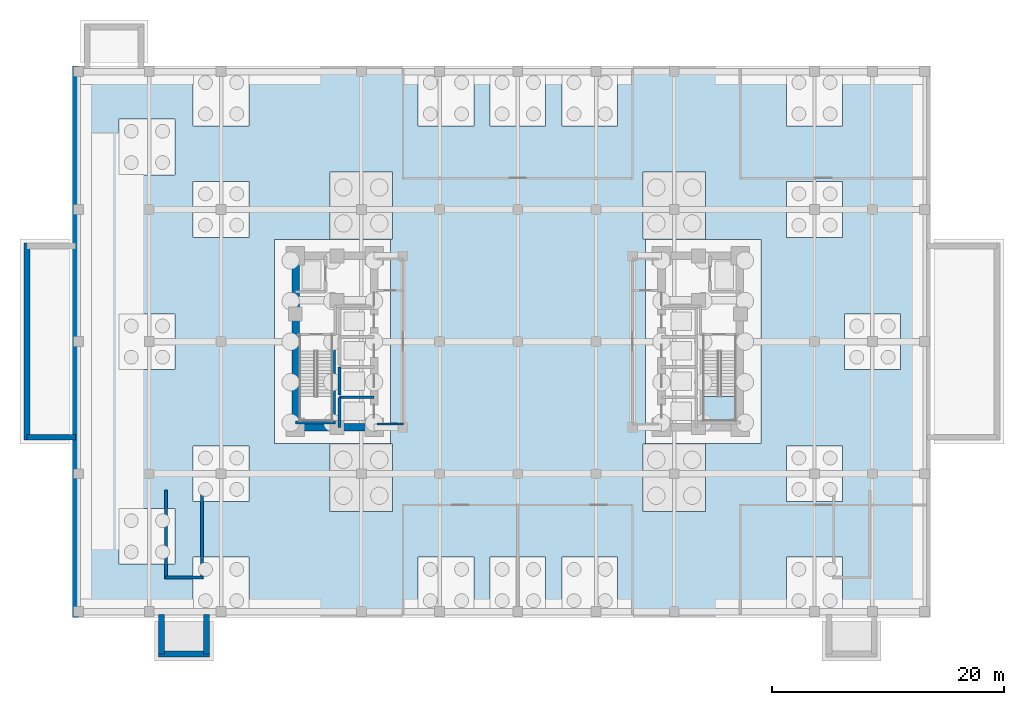
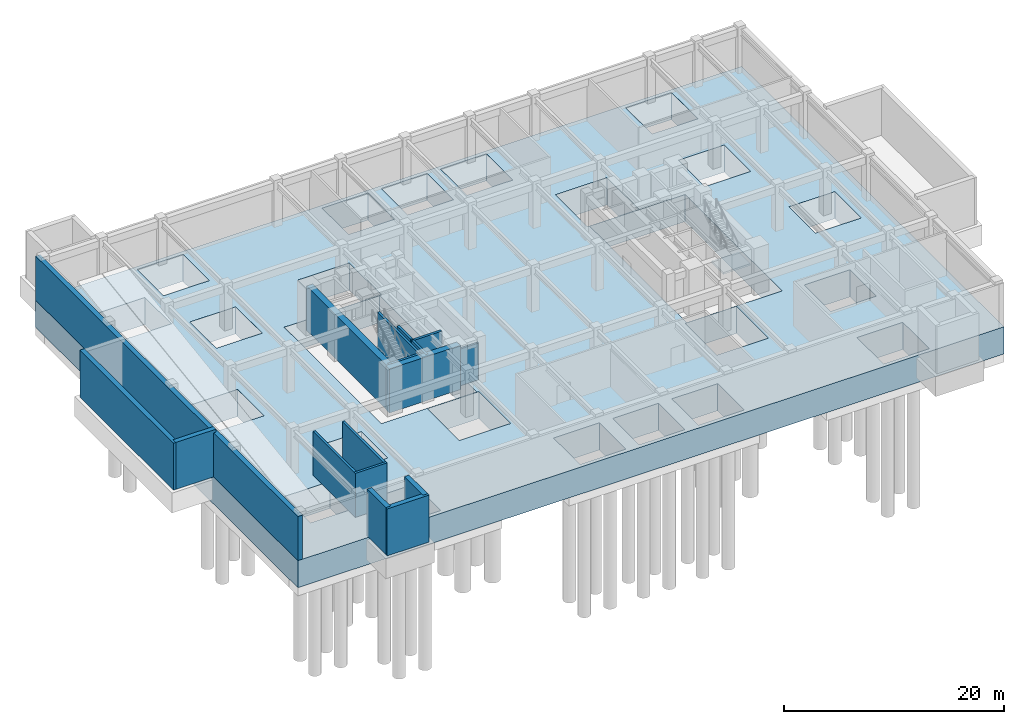
# One storey, part 4 of 11: 17 walls, 2 slabs, 1 element without a shape of its own.
"""IFC4 building model written with IfcOpenShell, lengths in metres."""

from ifc_helpers import new_model, si_unit, direction, frame, frame_2d, origin, place, context, subcontext, project, spatial, polyline, rectangle, outline, extrude, material, layer, layer_set, type_object, element, aggregate, save


model = new_model("IFC4")

# Units and contexts
model_context = context("Model", 3, precision=1e-05, world=origin(), true_north=direction((0.0, 1.0)))
body_context = subcontext(model_context, "Body", "Model", "MODEL_VIEW")
ifc_project = project(units=[si_unit("LENGTHUNIT", "METRE"), si_unit("AREAUNIT", "SQUARE_METRE"), si_unit("VOLUMEUNIT", "CUBIC_METRE"), si_unit("PLANEANGLEUNIT", "RADIAN"), si_unit("MASSUNIT", "GRAM", prefix="KILO")], contexts=[model_context])

# Site, building, storey
site_placement = place(None, origin())
site = spatial("IfcSite", under=ifc_project, at=site_placement, CompositionType="ELEMENT")
building_placement = place(site_placement, origin())
building = spatial("IfcBuilding", under=site, at=building_placement, Name="Voryun Gate Residences", CompositionType="ELEMENT")
storey_placement = place(building_placement, frame((0.0, 0.0, -10.39990234375)))
storey = spatial("IfcBuildingStorey", under=building, at=storey_placement, Name="B02", CompositionType="ELEMENT", Elevation=-10.39990234375)

# Slab
ifc_material_1 = material(Name="Concrete C50/60", Category="concrete")
ifc_layer_1 = layer(ifc_material_1, 3.0, Name="SLB_MAT_3000")
ifc_layer_set_1 = layer_set([ifc_layer_1], Name="Concrete C50/60")
slab_type_1 = type_object("IfcSlabType", Name="SLB_MAT_3000", PredefinedType="BASESLAB", material=ifc_layer_set_1)
slab_1_placement = place(storey_placement, frame((0.0, 0.0, -3.0)))
element("IfcSlab", 1, at=slab_1_placement, inside=storey, type_object=slab_type_1, Name="B02 Tanked Piled-Raft Base Mat", PredefinedType="BASESLAB", context=body_context, shape_type="SweptSolid", body=[
    extrude(outline(polyline([(-38.39990234375, 23.800048828125), (35.60009765625, 23.800048828125), (35.60009765625, -23.800048828125), (-38.39990234375, -23.800048828125), (-38.39990234375, 23.800048828125)]), holes=[polyline([(-23.197021484375, -23.403076171875), (-23.197021484375, -18.596923828125), (-28.0029296875, -18.596923828125), (-28.0029296875, -23.403076171875), (-23.197021484375, -23.403076171875)]), polyline([(-8.60302734375, -23.403076171875), (-3.797119140625, -23.403076171875), (-3.797119140625, -18.596923828125), (-8.60302734375, -18.596923828125), (-8.60302734375, -23.403076171875)]), polyline([(-34.403076171875, -19.202880859375), (-29.596923828125, -19.202880859375), (-29.596923828125, -14.39697265625), (-34.403076171875, -14.39697265625), (-34.403076171875, -19.202880859375)]), polyline([(-10.797119140625, -14.653076171875), (-10.797119140625, -8.846923828125), (-16.202880859375, -8.846923828125), (-16.202880859375, -14.653076171875), (-10.797119140625, -14.653076171875)]), polyline([(-28.0029296875, -13.802978515625), (-23.197021484375, -13.802978515625), (-23.197021484375, -8.9970703125), (-28.0029296875, -8.9970703125), (-28.0029296875, -13.802978515625)]), polyline([(-34.403076171875, -2.403076171875), (-29.596923828125, -2.403076171875), (-29.596923828125, 2.403076171875), (-34.403076171875, 2.403076171875), (-34.403076171875, -2.403076171875)]), polyline([(-10.9970703125, -8.802978515625), (-10.9970703125, 8.802978515625), (-21.0029296875, 8.802978515625), (-21.0029296875, -8.802978515625), (-10.9970703125, -8.802978515625)]), polyline([(-28.0029296875, 8.9970703125), (-23.197021484375, 8.9970703125), (-23.197021484375, 13.802978515625), (-28.0029296875, 13.802978515625), (-28.0029296875, 8.9970703125)]), polyline([(-16.202880859375, 8.846923828125), (-10.797119140625, 8.846923828125), (-10.797119140625, 14.653076171875), (-16.202880859375, 14.653076171875), (-16.202880859375, 8.846923828125)]), polyline([(-29.596923828125, 14.39697265625), (-29.596923828125, 19.202880859375), (-34.403076171875, 19.202880859375), (-34.403076171875, 14.39697265625), (-29.596923828125, 14.39697265625)]), polyline([(-28.0029296875, 18.596923828125), (-23.197021484375, 18.596923828125), (-23.197021484375, 23.403076171875), (-28.0029296875, 23.403076171875), (-28.0029296875, 18.596923828125)]), polyline([(-8.60302734375, 18.596923828125), (-3.797119140625, 18.596923828125), (-3.797119140625, 23.403076171875), (-8.60302734375, 23.403076171875), (-8.60302734375, 18.596923828125)]), polyline([(2.403076171875, -23.403076171875), (2.403076171875, -18.596923828125), (-2.403076171875, -18.596923828125), (-2.403076171875, -23.403076171875), (2.403076171875, -23.403076171875)]), polyline([(3.797119140625, -23.403076171875), (8.60302734375, -23.403076171875), (8.60302734375, -18.596923828125), (3.797119140625, -18.596923828125), (3.797119140625, -23.403076171875)]), polyline([(23.197021484375, -23.403076171875), (28.0029296875, -23.403076171875), (28.0029296875, -18.596923828125), (23.197021484375, -18.596923828125), (23.197021484375, -23.403076171875)]), polyline([(16.202880859375, -14.653076171875), (16.202880859375, -8.846923828125), (10.797119140625, -8.846923828125), (10.797119140625, -14.653076171875), (16.202880859375, -14.653076171875)]), polyline([(23.197021484375, -13.802978515625), (28.0029296875, -13.802978515625), (28.0029296875, -8.9970703125), (23.197021484375, -8.9970703125), (23.197021484375, -13.802978515625)]), polyline([(10.9970703125, -8.802978515625), (21.0029296875, -8.802978515625), (21.0029296875, 8.802978515625), (10.9970703125, 8.802978515625), (10.9970703125, -8.802978515625)]), polyline([(33.0029296875, -2.403076171875), (33.0029296875, 2.403076171875), (28.197021484375, 2.403076171875), (28.197021484375, -2.403076171875), (33.0029296875, -2.403076171875)]), polyline([(23.197021484375, 8.9970703125), (28.0029296875, 8.9970703125), (28.0029296875, 13.802978515625), (23.197021484375, 13.802978515625), (23.197021484375, 8.9970703125)]), polyline([(10.797119140625, 8.846923828125), (16.202880859375, 8.846923828125), (16.202880859375, 14.653076171875), (10.797119140625, 14.653076171875), (10.797119140625, 8.846923828125)]), polyline([(2.403076171875, 18.596923828125), (2.403076171875, 23.403076171875), (-2.403076171875, 23.403076171875), (-2.403076171875, 18.596923828125), (2.403076171875, 18.596923828125)]), polyline([(3.797119140625, 18.596923828125), (8.60302734375, 18.596923828125), (8.60302734375, 23.403076171875), (3.797119140625, 23.403076171875), (3.797119140625, 18.596923828125)]), polyline([(23.197021484375, 18.596923828125), (28.0029296875, 18.596923828125), (28.0029296875, 23.403076171875), (23.197021484375, 23.403076171875), (23.197021484375, 18.596923828125)])]), origin(), (0.0, 0.0, 1.0), 3.0),
])

# Stair, slab
ifc_material_2 = material(Name="Concrete C40/50", Category="concrete")
stair_type = type_object("IfcStairType", Name="STR_CORE_DOGLEG_1350", PredefinedType="HALF_TURN_STAIR", material=ifc_material_2)
stair_placement = place(storey_placement, origin())
stair = element("IfcStair", 2, at=stair_placement, inside=storey, type_object=stair_type, Name="B02 Special Escape Stair ST-E1", PredefinedType="HALF_TURN_STAIR")
ifc_material_3 = material(Name="Concrete C40/50", Category="concrete")
ifc_layer_2 = layer(ifc_material_3, 0.199951171875, Name="SLB_STAIR_LANDING_200")
ifc_layer_set_2 = layer_set([ifc_layer_2], Name="Concrete C40/50")
slab_type_2 = type_object("IfcSlabType", Name="SLB_STAIR_LANDING_200", PredefinedType="LANDING", material=ifc_layer_set_2)
slab_2_placement = place(storey_placement, frame((0.0, 0.0, 2.39990234375)))
slab_2 = element("IfcSlab", 3, at=slab_2_placement, type_object=slab_type_2, Name="ST-E1 landing 1", PredefinedType="LANDING", context=body_context, shape_type="SweptSolid", body=[
    extrude(outline(polyline([(15.97509765625, -4.719970703125), (15.97509765625, -6.85009765625), (18.824951171875, -6.85009765625), (18.824951171875, -4.719970703125), (15.97509765625, -4.719970703125)])), origin(), (0.0, 0.0, 1.0), 0.199951171875),
])
aggregate(stair, [slab_2])

# Walls
ifc_material_4 = material(Name="Concrete C50/60", Category="concrete")
ifc_layer_3 = layer(ifc_material_4, 0.5, Name="CW_BSMT_RET_500")
ifc_layer_set_3 = layer_set([ifc_layer_3], Name="Concrete C50/60")
wall_type_1 = type_object("IfcWallType", Name="CW_BSMT_RET_500", PredefinedType="USERDEFINED", material=ifc_layer_set_3)
for number, where, z_axis, x_axis, name in (
    (4, (-30.75, -26.949951171875, 0.0), (0.0, 0.0, 1.0), (0.0, 1.0, 0.0), "B02 Apron Foundation Wall SLB-PAV-EXIT-P1-L"),
    (5, (-26.85009765625, -26.949951171875, 0.0), (0.0, 0.0, 1.0), (0.0, 1.0, 0.0), "B02 Apron Foundation Wall SLB-PAV-EXIT-P1-R"),
):
    element("IfcWall", number, at=place(storey_placement, frame(where, z_axis=z_axis, x_axis=x_axis)), inside=storey, type_object=wall_type_1, Name=name, ObjectType="RETAININGWALL", PredefinedType="USERDEFINED", context=body_context, shape_type="SweptSolid", body=[
        extrude(rectangle(XDim=3.39990234375, YDim=0.5, at=frame_2d((1.699951171875, 0.0))), origin(), (0.0, 0.0, 1.0), 5.199951171875),
    ])
wall_1_placement = place(storey_placement, frame((-31.0, -26.949951171875, 0.0), z_axis=(0.0, 0.0, 1.0), x_axis=(1.0, 0.0, 0.0)))
element("IfcWall", 6, at=wall_1_placement, inside=storey, type_object=wall_type_1, Name="B02 Apron Foundation Wall SLB-PAV-EXIT-P1-O", ObjectType="RETAININGWALL", PredefinedType="USERDEFINED", context=body_context, shape_type="SweptSolid", body=[
    extrude(rectangle(XDim=4.39990234375, YDim=0.5, at=frame_2d((2.199951171875, 0.0))), origin(), (0.0, 0.0, 1.0), 5.199951171875),
])
wall_2_placement = place(storey_placement, frame((-42.35009765625, -8.25, 0.0), z_axis=(0.0, 0.0, 1.0), x_axis=(1.0, 0.0, 0.0)))
element("IfcWall", 7, at=wall_2_placement, inside=storey, type_object=wall_type_1, Name="B02 Plaza Foundation Wall SLB-PAV-WEST-PLAZA-S", ObjectType="RETAININGWALL", PredefinedType="USERDEFINED", context=body_context, shape_type="SweptSolid", body=[
    extrude(rectangle(XDim=4.2001953125, YDim=0.5, at=frame_2d((2.10009765625, 0.0))), origin(), (0.0, 0.0, 1.0), 5.199951171875),
])
wall_3_placement = place(storey_placement, frame((-42.35009765625, -8.5, 0.0), z_axis=(0.0, 0.0, 1.0), x_axis=(0.0, 1.0, 0.0)))
element("IfcWall", 8, at=wall_3_placement, inside=storey, type_object=wall_type_1, Name="B02 Plaza Foundation Wall SLB-PAV-WEST-PLAZA-O", ObjectType="RETAININGWALL", PredefinedType="USERDEFINED", context=body_context, shape_type="SweptSolid", body=[
    extrude(rectangle(XDim=17.0, YDim=0.5, at=frame_2d((8.5, 0.0))), origin(), (0.0, 0.0, 1.0), 5.199951171875),
])
wall_4_placement = place(storey_placement, frame((-38.14990234375, -23.800048828125, 0.0), z_axis=(0.0, 0.0, 1.0), x_axis=(0.0, 1.0, 0.0)))
element("IfcWall", 9, at=wall_4_placement, inside=storey, type_object=wall_type_1, Name="B02 Perimeter Basement Retaining Wall WRET-B02-W", ObjectType="RETAININGWALL", PredefinedType="USERDEFINED", context=body_context, shape_type="SweptSolid", body=[
    extrude(rectangle(XDim=47.60009765625, YDim=0.5, at=frame_2d((23.800048828125, 0.0))), origin(), (0.0, 0.0, 1.0), 4.8798828125),
])
ifc_material_5 = material(Name="Concrete C60/75", Category="concrete")
ifc_layer_4 = layer(ifc_material_5, 0.64990234375, Name="CW_CORE_650")
ifc_layer_set_4 = layer_set([ifc_layer_4], Name="Concrete C60/75")
wall_type_2 = type_object("IfcWallType", Name="CW_CORE_650", PredefinedType="SHEAR", material=ifc_layer_set_4)
wall_5_placement = place(storey_placement, frame((-19.52490234375, -7.39990234375, 0.0), z_axis=(0.0, 0.0, 1.0), x_axis=(1.0, 0.0, 0.0)))
element("IfcWall", 10, at=wall_5_placement, inside=storey, type_object=wall_type_2, Name="B02 Core shear wall CW-B02-WS", PredefinedType="SHEAR", context=body_context, shape_type="SweptSolid", body=[
    extrude(rectangle(XDim=7.449951171875, YDim=0.64990234375, at=frame_2d((3.72509765625, 0.0))), origin(), (0.0, 0.0, 1.0), 4.8798828125),
])
wall_6_placement = place(storey_placement, frame((-19.14501953125, -7.39990234375, 0.0), z_axis=(0.0, 0.0, 1.0), x_axis=(0.0, 1.0, 0.0)))
element("IfcWall", 11, at=wall_6_placement, inside=storey, type_object=wall_type_2, Name="B02 Core shear wall CW-B02-WW", PredefinedType="SHEAR", context=body_context, shape_type="SweptSolid", body=[
    extrude(rectangle(XDim=14.7998046875, YDim=0.64990234375, at=frame_2d((7.39990234375, 0.0))), origin(), (0.0, 0.0, 1.0), 4.8798828125),
])
ifc_material_6 = material(Name="Gypsum acoustic fireboard")
ifc_layer_5 = layer(ifc_material_6, 0.179931640625, Name="W_CORR_RATED_180")
ifc_layer_set_5 = layer_set([ifc_layer_5], Name="Gypsum acoustic fireboard")
wall_type_3 = type_object("IfcWallType", Name="W_CORR_RATED_180", PredefinedType="PARTITIONING", material=ifc_layer_set_5)
wall_7_placement = place(storey_placement, frame((-12.14990234375, -7.1201171875, 0.0), z_axis=(0.0, 0.0, 1.0), x_axis=(1.0, 0.0, 0.0)))
element("IfcWall", 12, at=wall_7_placement, inside=storey, type_object=wall_type_3, Name="Partition wall WP-B02-PLBS-W", PredefinedType="PARTITIONING", context=body_context, shape_type="SweptSolid", body=[
    extrude(rectangle(XDim=2.27001953125, YDim=0.179931640625, at=frame_2d((1.135009765625, 0.0))), origin(), (0.0, 0.0, 1.0), 4.06982421875),
])
ifc_material_7 = material(Name="Concrete C50/60", Category="concrete")
ifc_layer_6 = layer(ifc_material_7, 0.25, Name="W_SHAFT_RC250")
ifc_layer_set_6 = layer_set([ifc_layer_6], Name="Concrete C50/60")
wall_type_4 = type_object("IfcWallType", Name="W_SHAFT_RC250", PredefinedType="SOLIDWALL", material=ifc_layer_set_6)
wall_8_placement = place(storey_placement, frame((-15.860107421875, -7.0849609375, 0.0), z_axis=(0.0, 0.0, 1.0), x_axis=(0.0, 1.0, 0.0)))
element("IfcWall", 13, at=wall_8_placement, inside=storey, type_object=wall_type_4, Name="B02 Stair shaft structural wall W-STR", PredefinedType="SOLIDWALL", context=body_context, shape_type="SweptSolid", body=[
    extrude(rectangle(XDim=7.68505859375, YDim=0.25, at=frame_2d((3.842529296875, 0.0))), origin(), (0.0, 0.0, 1.0), 4.8798828125),
])
wall_9_placement = place(storey_placement, frame((-19.199951171875, -6.965087890625, 0.0), z_axis=(0.0, 0.0, 1.0), x_axis=(1.0, 0.0, 0.0)))
element("IfcWall", 14, at=wall_9_placement, inside=storey, type_object=wall_type_4, Name="B02 Stair shaft structural wall W-STS", PredefinedType="SOLIDWALL", context=body_context, shape_type="SweptSolid", body=[
    extrude(rectangle(XDim=3.4599609375, YDim=0.25, at=frame_2d((1.72998046875, 0.0))), origin(), (0.0, 0.0, 1.0), 4.8798828125),
])
for number, where, z_axis, x_axis, name in (
    (15, (-30.340087890625, -20.485107421875, 0.0), (0.0, 0.0, 1.0), (0.0, 1.0, 0.0), "B02 Podium stair structural wall STP1-W"),
    (16, (-27.260009765625, -20.485107421875, 0.0), (0.0, 0.0, 1.0), (0.0, 1.0, 0.0), "B02 Podium stair structural wall STP1-E"),
):
    element("IfcWall", number, at=place(storey_placement, frame(where, z_axis=z_axis, x_axis=x_axis)), inside=storey, type_object=wall_type_4, Name=name, PredefinedType="SOLIDWALL", context=body_context, shape_type="SweptSolid", body=[
        extrude(rectangle(XDim=7.68505859375, YDim=0.25, at=frame_2d((3.842529296875, 0.0))), origin(), (0.0, 0.0, 1.0), 4.8798828125),
    ])
wall_10_placement = place(storey_placement, frame((-30.4599609375, -20.364990234375, 0.0), z_axis=(0.0, 0.0, 1.0), x_axis=(1.0, 0.0, 0.0)))
element("IfcWall", 17, at=wall_10_placement, inside=storey, type_object=wall_type_4, Name="B02 Podium stair structural wall STP1-S", PredefinedType="SOLIDWALL", context=body_context, shape_type="SweptSolid", body=[
    extrude(rectangle(XDim=3.320068359375, YDim=0.25, at=frame_2d((1.66015625, 0.0))), origin(), (0.0, 0.0, 1.0), 4.8798828125),
])
wall_11_placement = place(storey_placement, frame((-12.39990234375, -4.800048828125, 0.0), z_axis=(0.0, 0.0, 1.0), x_axis=(-1.0, 0.0, 0.0)))
element("IfcWall", 18, at=wall_11_placement, inside=storey, type_object=wall_type_4, Name="Lift shaft wall WSH-B02-EL-P1-N", PredefinedType="SOLIDWALL", context=body_context, shape_type="SweptSolid", body=[
    extrude(rectangle(XDim=3.0, YDim=0.25, at=frame_2d((1.5, 0.0))), origin(), (0.0, 0.0, 1.0), 4.8798828125),
])
wall_12_placement = place(storey_placement, frame((-15.39990234375, -4.800048828125, 0.0), z_axis=(0.0, 0.0, 1.0), x_axis=(0.0, -1.0, 0.0)))
element("IfcWall", 19, at=wall_12_placement, inside=storey, type_object=wall_type_4, Name="Lift shaft wall WSH-B02-EL-P1-W", PredefinedType="SOLIDWALL", context=body_context, shape_type="SweptSolid", body=[
    extrude(rectangle(XDim=2.599853515625, YDim=0.25, at=frame_2d((1.2998046875, 0.0))), origin(), (0.0, 0.0, 1.0), 4.8798828125),
])
wall_13_placement = place(storey_placement, frame((-15.39990234375, -2.199951171875, 0.0), z_axis=(0.0, 0.0, 1.0), x_axis=(0.0, -1.0, 0.0)))
element("IfcWall", 20, at=wall_13_placement, inside=storey, type_object=wall_type_4, Name="Lift shaft wall WSH-B02-EL-P2-W", PredefinedType="SOLIDWALL", context=body_context, shape_type="SweptSolid", body=[
    extrude(rectangle(XDim=2.400146484375, YDim=0.25, at=frame_2d((1.2001953125, 0.0))), origin(), (0.0, 0.0, 1.0), 4.8798828125),
])

save(model, "model.ifc")
